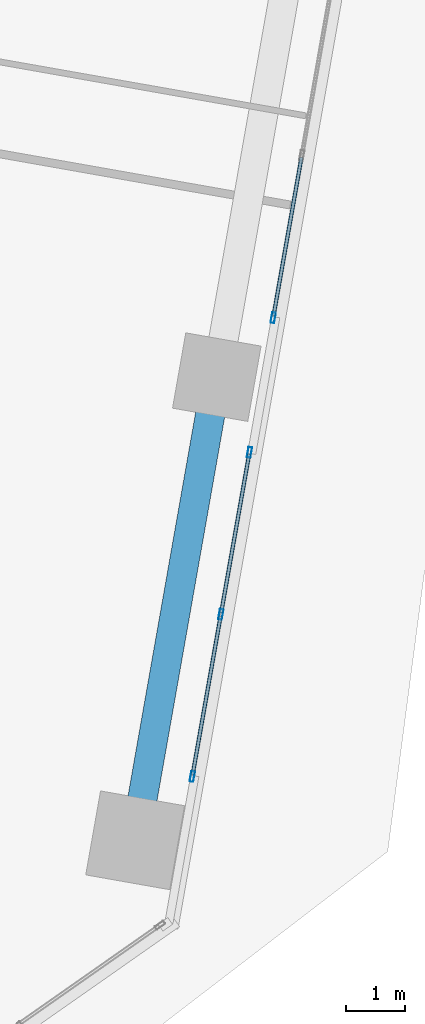
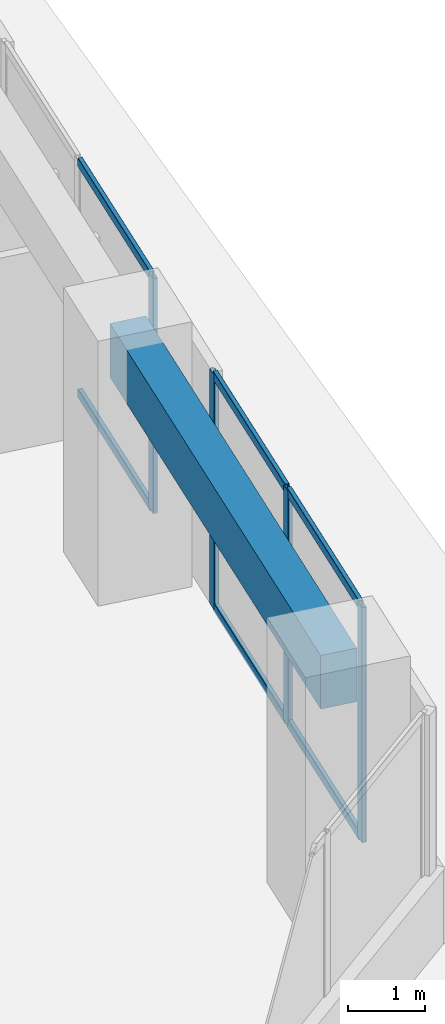
# One storey, part 9 of 24: 10 members, 1 beam, 2 elements without a shape of their own.
"""IFC4 building model written with IfcOpenShell, lengths in metres."""

from ifc_helpers import new_model, si_unit, direction, frame, origin, origin_2d, place, context, subcontext, project, spatial, rectangle, hollow_rectangle, extrude, source, transform, mapped, material, material_profile, profile_set, type_object, element, aggregate, save


model = new_model("IFC4")

# Units and contexts
model_context = context("Model", 3, precision=1e-05, world=origin(), true_north=direction((0.0, 1.0)))
body_context = subcontext(model_context, "Body", "Model", "MODEL_VIEW")
ifc_project = project(units=[si_unit("LENGTHUNIT", "METRE"), si_unit("AREAUNIT", "SQUARE_METRE"), si_unit("VOLUMEUNIT", "CUBIC_METRE"), si_unit("PLANEANGLEUNIT", "RADIAN"), si_unit("MASSUNIT", "GRAM", prefix="KILO")], contexts=[model_context])

# Site, building, storey
site_placement = place(None, origin())
site = spatial("IfcSite", under=ifc_project, at=site_placement, CompositionType="ELEMENT")
building_placement = place(site_placement, origin())
building = spatial("IfcBuilding", under=site, at=building_placement, Name="Torre Montelarca", CompositionType="ELEMENT")
storey_placement = place(building_placement, frame((0.0, 0.0, 74.800048828125)))
storey = spatial("IfcBuildingStorey", under=building, at=storey_placement, Name="L16", CompositionType="ELEMENT", Elevation=74.800048828125)

# Beam
ifc_material_1 = material(Name="Concrete C55/67", Category="concrete")
ifc_material_profile_1 = material_profile(ifc_material_1, rectangle(XDim=0.5, YDim=0.85009765625, at=origin_2d()), Name="RCB500X850", Category="concrete")
ifc_profile_set_1 = profile_set([ifc_material_profile_1], Name="Concrete C55/67")
beam_type = type_object("IfcBeamType", Name="BM-SP-RC850-EXT", PredefinedType="SPANDREL", material=ifc_profile_set_1)
shared_shape_1 = source(origin(), body_context, "Body", "SweptSolid", [
    extrude(rectangle(XDim=0.5, YDim=0.85009765625, at=origin_2d()), origin(), (0.0, 0.0, 1.0), 8.0),
])
beam_placement = place(storey_placement, frame((58.02587890625, 17.43603515625, 3.534912109375), z_axis=(0.173646056486, 0.984808127031, 0.0), x_axis=(-0.984808127031, 0.173646056486, 0.0)))
element("IfcBeam", 1, at=beam_placement, inside=storey, type_object=beam_type, Name="L16 Grid Girder Y 24.0-32.0 at X=60.0", PredefinedType="SPANDREL", context=body_context, shape_type="MappedRepresentation", body=[
    mapped(shared_shape_1, transform((0.0, 0.0, 0.0), scale=1.0)),
])

# Curtain wall, members
ifc_material_2 = material(Name="Insulated low-E laminated glass", Category="glass")
curtain_wall_type = type_object("IfcCurtainWallType", Name="CW-SYS-Z1", PredefinedType="USERDEFINED", material=ifc_material_2)
curtain_wall_1_placement = place(storey_placement, origin())
curtain_wall_1 = element("IfcCurtainWall", 2, at=curtain_wall_1_placement, inside=storey, type_object=curtain_wall_type, Name="L16 Curtain Wall Run CW-T3-L16-E06-B1", ObjectType="UNITISED GLAZING", PredefinedType="USERDEFINED")
ifc_material_3 = material(Name="Anodised aluminium AA 6063-T6", Category="aluminium")
ifc_material_profile_2 = material_profile(ifc_material_3, hollow_rectangle(XDim=0.06494140625, YDim=0.179931640625, WallThickness=0.00390625, InnerFilletRadius=0.00390625, OuterFilletRadius=0.008056640625, at=origin_2d()), Name="ALU65X180X4", Category="aluminium")
ifc_profile_set_2 = profile_set([ifc_material_profile_2], Name="Anodised aluminium AA 6063-T6")
member_type_1 = type_object("IfcMemberType", Name="CWM-ALU180", PredefinedType="MULLION", material=ifc_profile_set_2)
shared_shape_2 = source(origin(), body_context, "Body", "SweptSolid", [
    extrude(hollow_rectangle(XDim=0.06494140625, YDim=0.179931640625, WallThickness=0.00390625, InnerFilletRadius=0.00390625, OuterFilletRadius=0.008056640625, at=origin_2d()), origin(), (0.0, 0.0, 1.0), 3.719970703125),
])
member_1_placement = place(storey_placement, frame((58.9990234375, 18.52099609375, 0.0), z_axis=(0.0, 0.0, 1.0), x_axis=(-0.984808072774, 0.173646364198, 0.0)))
member_1 = element("IfcMember", 3, at=member_1_placement, type_object=member_type_1, Name="CW mullion 1", PredefinedType="MULLION", context=body_context, shape_type="MappedRepresentation", body=[
    mapped(shared_shape_2, transform((0.0, 0.0, 0.0), scale=1.0)),
])
member_2_placement = place(storey_placement, frame((59.4853515625, 21.278564453125, 0.0), z_axis=(0.0, 0.0, 1.0), x_axis=(-0.984808072774, 0.173646364198, 0.0)))
member_2 = element("IfcMember", 4, at=member_2_placement, type_object=member_type_1, Name="CW mullion 2", PredefinedType="MULLION", context=body_context, shape_type="MappedRepresentation", body=[
    mapped(shared_shape_2, transform((0.0, 0.0, 0.0), scale=1.0)),
])
member_3_placement = place(storey_placement, frame((59.971435546875, 24.035888671875, 0.0), z_axis=(0.0, 0.0, 1.0), x_axis=(-0.984808072774, 0.173646364198, 0.0)))
member_3 = element("IfcMember", 5, at=member_3_placement, type_object=member_type_1, Name="CW mullion 3", PredefinedType="MULLION", context=body_context, shape_type="MappedRepresentation", body=[
    mapped(shared_shape_2, transform((0.0, 0.0, 0.0), scale=1.0)),
])

# Curtain wall, member
curtain_wall_2_placement = place(storey_placement, origin())
curtain_wall_2 = element("IfcCurtainWall", 6, at=curtain_wall_2_placement, inside=storey, type_object=curtain_wall_type, Name="L16 Curtain Wall Run CW-T3-L16-E06-B2", ObjectType="UNITISED GLAZING", PredefinedType="USERDEFINED")
member_4_placement = place(storey_placement, frame((60.375244140625, 26.32568359375, 0.0), z_axis=(0.0, 0.0, 1.0), x_axis=(-0.984808605033, 0.173643345546, 0.0)))
member_4 = element("IfcMember", 7, at=member_4_placement, type_object=member_type_1, Name="CW mullion 1", PredefinedType="MULLION", context=body_context, shape_type="MappedRepresentation", body=[
    mapped(shared_shape_2, transform((0.0, 0.0, 0.0), scale=1.0)),
])

# Member
ifc_material_profile_3 = material_profile(ifc_material_3, hollow_rectangle(XDim=0.06494140625, YDim=0.139892578125, WallThickness=0.00390625, InnerFilletRadius=0.00390625, OuterFilletRadius=0.008056640625, at=origin_2d()), Name="ALU65X140X4", Category="aluminium")
ifc_profile_set_3 = profile_set([ifc_material_profile_3], Name="Anodised aluminium AA 6063-T6")
member_type_2 = type_object("IfcMemberType", Name="CWT-ALU140", PredefinedType="USERDEFINED", material=ifc_profile_set_3)
shared_shape_3 = source(origin(), body_context, "Body", "SweptSolid", [
    extrude(hollow_rectangle(XDim=0.06494140625, YDim=0.139892578125, WallThickness=0.00390625, InnerFilletRadius=0.00390625, OuterFilletRadius=0.008056640625, at=origin_2d()), origin(), (0.0, 0.0, 1.0), 2.73486328125),
])
member_5_placement = place(storey_placement, frame((59.0048828125, 18.55322265625, 0.032470703125), z_axis=(0.173627464018, 0.984811405163, 0.0), x_axis=(-0.984811405163, 0.173627464018, 0.0)))
member_5 = element("IfcMember", 8, at=member_5_placement, type_object=member_type_2, Name="CW transom 1.1", ObjectType="TRANSOM", PredefinedType="USERDEFINED", context=body_context, shape_type="MappedRepresentation", body=[
    mapped(shared_shape_3, transform((0.0, 0.0, 0.0), scale=1.0)),
])

member_6_placement = place(storey_placement, frame((59.0048828125, 18.55322265625, 3.6875), z_axis=(0.173627464018, 0.984811405163, 0.0), x_axis=(-0.984811405163, 0.173627464018, 0.0)))
member_6 = element("IfcMember", 9, at=member_6_placement, type_object=member_type_2, Name="CW transom 1.2", ObjectType="TRANSOM", PredefinedType="USERDEFINED", context=body_context, shape_type="MappedRepresentation", body=[
    mapped(shared_shape_3, transform((0.0, 0.0, 0.0), scale=1.0)),
])

member_7_placement = place(storey_placement, frame((59.490966796875, 21.310546875, 0.032470703125), z_axis=(0.173627464018, 0.984811405163, 0.0), x_axis=(-0.984811405163, 0.173627464018, 0.0)))
member_7 = element("IfcMember", 10, at=member_7_placement, type_object=member_type_2, Name="CW transom 2.1", ObjectType="TRANSOM", PredefinedType="USERDEFINED", context=body_context, shape_type="MappedRepresentation", body=[
    mapped(shared_shape_3, transform((0.0, 0.0, 0.0), scale=1.0)),
])

member_8_placement = place(storey_placement, frame((59.490966796875, 21.310546875, 3.6875), z_axis=(0.173627464018, 0.984811405163, 0.0), x_axis=(-0.984811405163, 0.173627464018, 0.0)))
member_8 = element("IfcMember", 11, at=member_8_placement, type_object=member_type_2, Name="CW transom 2.2", ObjectType="TRANSOM", PredefinedType="USERDEFINED", context=body_context, shape_type="MappedRepresentation", body=[
    mapped(shared_shape_3, transform((0.0, 0.0, 0.0), scale=1.0)),
])

aggregate(curtain_wall_1, [member_1, member_2, member_3, member_5, member_6, member_7, member_8])

member_9_placement = place(storey_placement, frame((60.380859375, 26.357666015625, 0.032470703125), z_axis=(0.173627464018, 0.984811405163, 0.0), x_axis=(-0.984811405163, 0.173627464018, 0.0)))
member_9 = element("IfcMember", 12, at=member_9_placement, type_object=member_type_2, Name="CW transom 1.1", ObjectType="TRANSOM", PredefinedType="USERDEFINED", context=body_context, shape_type="MappedRepresentation", body=[
    mapped(shared_shape_3, transform((0.0, 0.0, 0.0), scale=1.0)),
])

member_10_placement = place(storey_placement, frame((60.380859375, 26.357666015625, 3.6875), z_axis=(0.173627464018, 0.984811405163, 0.0), x_axis=(-0.984811405163, 0.173627464018, 0.0)))
member_10 = element("IfcMember", 13, at=member_10_placement, type_object=member_type_2, Name="CW transom 1.2", ObjectType="TRANSOM", PredefinedType="USERDEFINED", context=body_context, shape_type="MappedRepresentation", body=[
    mapped(shared_shape_3, transform((0.0, 0.0, 0.0), scale=1.0)),
])

aggregate(curtain_wall_2, [member_4, member_9, member_10])

save(model, "model.ifc")
